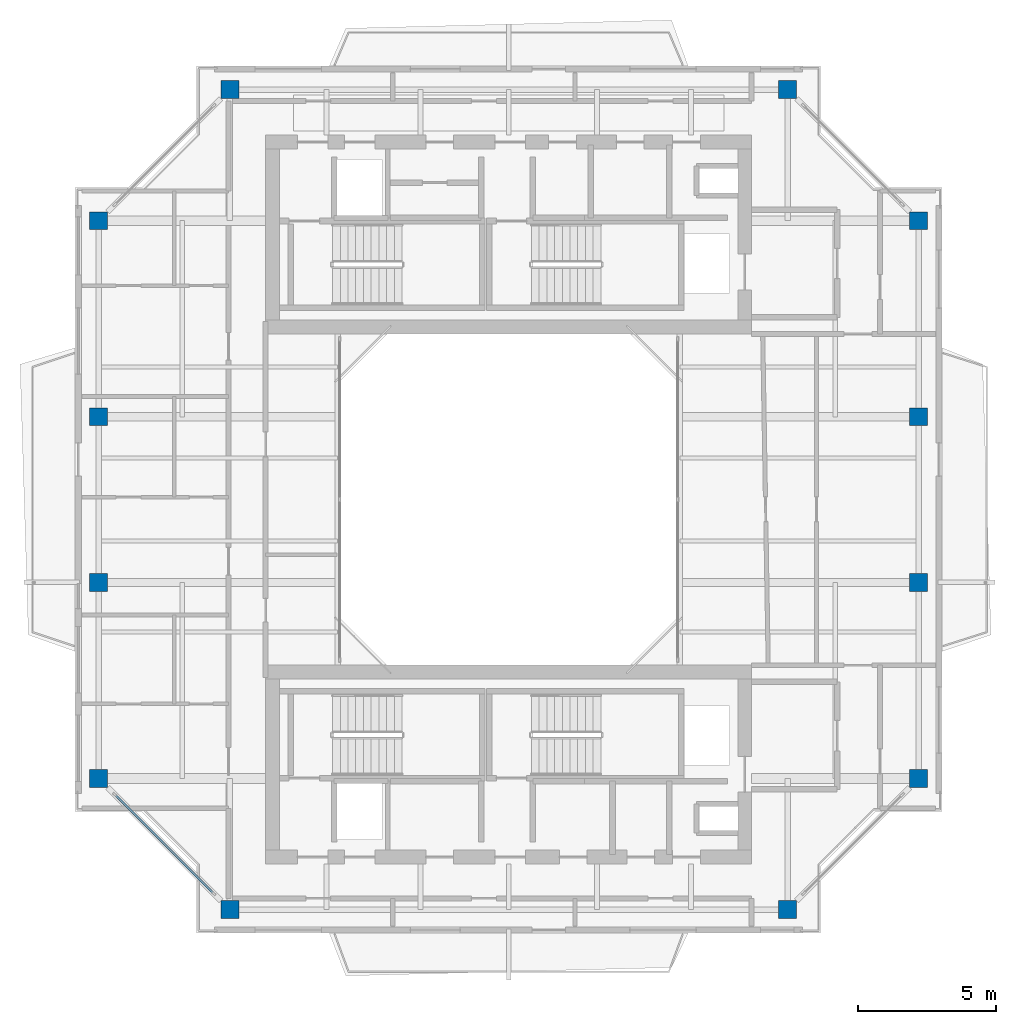
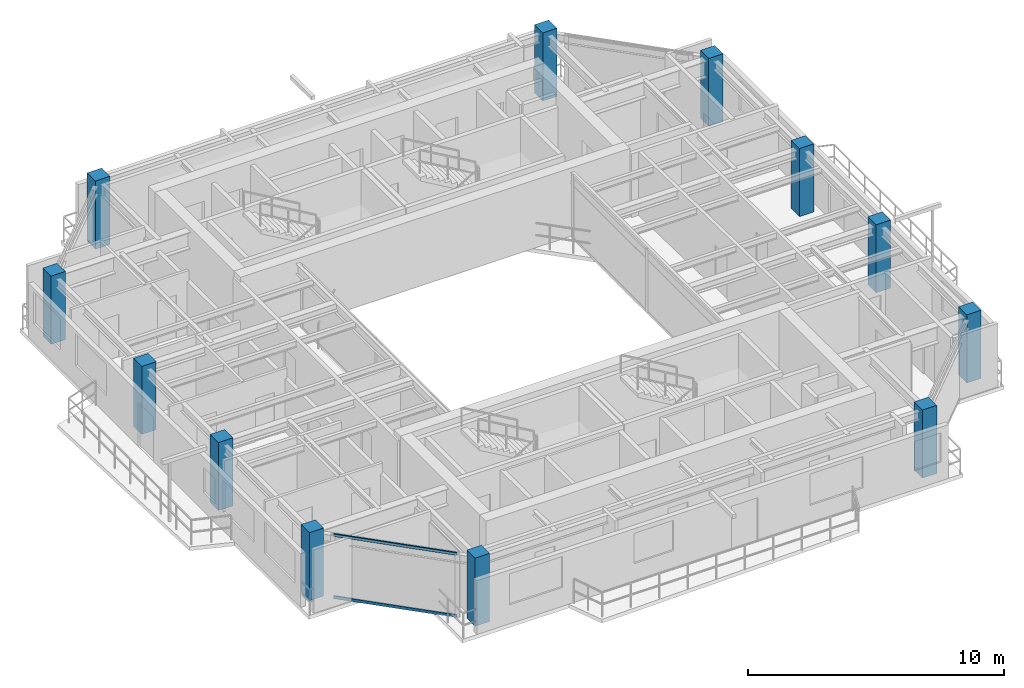
# One storey, part 1 of 14: 12 columns, 2 members, 1 element without a shape of its own.
"""IFC4 building model written with IfcOpenShell, lengths in metres."""

from ifc_helpers import new_model, si_unit, direction, frame, origin, origin_2d, place, context, subcontext, project, spatial, rectangle, extrude, source, transform, mapped, material, layer, layer_set, material_profile, profile_set, type_object, element, aggregate, save


model = new_model("IFC4")

# Units and contexts
model_context = context("Model", 3, precision=1e-05, world=origin(), true_north=direction((0.0, 1.0)))
body_context = subcontext(model_context, "Body", "Model", "MODEL_VIEW")
ifc_project = project(units=[si_unit("LENGTHUNIT", "METRE"), si_unit("AREAUNIT", "SQUARE_METRE"), si_unit("VOLUMEUNIT", "CUBIC_METRE"), si_unit("PLANEANGLEUNIT", "RADIAN"), si_unit("MASSUNIT", "GRAM", prefix="KILO"), si_unit("THERMODYNAMICTEMPERATUREUNIT", "KELVIN"), si_unit("POWERUNIT", "WATT")], contexts=[model_context])

# Site, building, storey
site_placement = place(None, origin())
site = spatial("IfcSite", under=ifc_project, at=site_placement, CompositionType="ELEMENT")
building_placement = place(site_placement, origin())
building = spatial("IfcBuilding", under=site, at=building_placement, Name="Qiaomeng Ring Towers", CompositionType="ELEMENT")
storey_placement = place(building_placement, frame((0.0, 0.0, 260.0)))
storey = spatial("IfcBuildingStorey", under=building, at=storey_placement, Name="L76", CompositionType="ELEMENT", Elevation=260.0)

# Columns
ifc_material_1 = material(Name="Concrete C40", Category="concrete")
ifc_material_profile_1 = material_profile(ifc_material_1, rectangle(XDim=0.64990234375, YDim=0.64990234375, at=origin_2d()), Name="RC COL 650x650")
ifc_profile_set_1 = profile_set([ifc_material_profile_1], Name="Concrete C40")
column_type = type_object("IfcColumnType", Name="STR-COL-650-C40", PredefinedType="COLUMN", material=ifc_profile_set_1)
shared_shape_1 = source(origin(), body_context, "Body", "SweptSolid", [
    extrude(rectangle(XDim=0.64990234375, YDim=0.64990234375, at=origin_2d()), origin(), (0.0, 0.0, 1.0), 3.25),
])
for number, where, z_axis, x_axis, name in (
    (1, (8.89990234375, 8.14990234375, 0.0), (0.0, 0.0, 1.0), (1.0, 0.0, 0.0), "L76 column STR-COL-L76-T1-S1"),
    (2, (29.10009765625, 8.14990234375, 0.0), (0.0, 0.0, 1.0), (1.0, 0.0, 0.0), "L76 column STR-COL-L76-T1-S2"),
    (3, (33.85009765625, 12.89990234375, 0.0), (0.0, 0.0, 1.0), (1.0, 0.0, 0.0), "L76 column STR-COL-L76-T1-E1"),
    (4, (33.85009765625, 20.0, 0.0), (0.0, 0.0, 1.0), (1.0, 0.0, 0.0), "L76 column STR-COL-L76-T1-E2"),
    (5, (33.85009765625, 26.0, 0.0), (0.0, 0.0, 1.0), (1.0, 0.0, 0.0), "L76 column STR-COL-L76-T1-E3"),
    (6, (33.85009765625, 33.10009765625, 0.0), (0.0, 0.0, 1.0), (1.0, 0.0, 0.0), "L76 column STR-COL-L76-T1-E4"),
    (7, (29.10009765625, 37.85009765625, 0.0), (0.0, 0.0, 1.0), (1.0, 0.0, 0.0), "L76 column STR-COL-L76-T1-N2"),
    (8, (8.89990234375, 37.85009765625, 0.0), (0.0, 0.0, 1.0), (1.0, 0.0, 0.0), "L76 column STR-COL-L76-T1-N1"),
    (9, (4.14990234375, 33.10009765625, 0.0), (0.0, 0.0, 1.0), (1.0, 0.0, 0.0), "L76 column STR-COL-L76-T1-W4"),
    (10, (4.14990234375, 26.0, 0.0), (0.0, 0.0, 1.0), (1.0, 0.0, 0.0), "L76 column STR-COL-L76-T1-W3"),
    (11, (4.14990234375, 20.0, 0.0), (0.0, 0.0, 1.0), (1.0, 0.0, 0.0), "L76 column STR-COL-L76-T1-W2"),
    (12, (4.14990234375, 12.89990234375, 0.0), (0.0, 0.0, 1.0), (1.0, 0.0, 0.0), "L76 column STR-COL-L76-T1-W1"),
):
    element("IfcColumn", number, at=place(storey_placement, frame(where, z_axis=z_axis, x_axis=x_axis)), inside=storey, type_object=column_type, Name=name, PredefinedType="COLUMN", context=body_context, shape_type="MappedRepresentation", body=[
        mapped(shared_shape_1, transform((0.0, 0.0, 0.0), x_axis=(1.0, 0.0, 0.0), y_axis=(0.0, 1.0, 0.0), z_axis=(0.0, 0.0, 1.0), scale=1.0)),
    ])

# Curtain wall, members
ifc_material_2 = material(Name="Fluorocarbon dark-grey aluminium", Category="aluminium")
ifc_layer = layer(ifc_material_2, 0.14990234375, Name="Fluorocarbon dark-grey aluminium")
ifc_layer_set = layer_set([ifc_layer], Name="Fluorocarbon dark-grey aluminium")
curtain_wall_type = type_object("IfcCurtainWallType", Name="ARC-CW-3", PredefinedType="NOTDEFINED", material=ifc_layer_set)
curtain_wall_placement = place(storey_placement, origin())
curtain_wall = element("IfcCurtainWall", 13, at=curtain_wall_placement, inside=storey, type_object=curtain_wall_type, Name="L76 Curtain Wall CW3", PredefinedType="NOTDEFINED")
ifc_material_profile_2 = material_profile(ifc_material_2, rectangle(XDim=0.06494140625, YDim=0.1298828125, at=origin_2d()), Name="ALU TRAN 65x130")
ifc_profile_set_2 = profile_set([ifc_material_profile_2], Name="Fluorocarbon dark-grey aluminium")
member_type = type_object("IfcMemberType", Name="ARC-CWT-120", PredefinedType="USERDEFINED", material=ifc_profile_set_2)
shared_shape_2 = source(origin(), body_context, "Body", "SweptSolid", [
    extrude(rectangle(XDim=0.06494140625, YDim=0.1298828125, at=origin_2d()), origin(), (0.0, 0.0, 1.0), 4.9794921875),
])
member_1_placement = place(storey_placement, frame((4.764404296875, 12.285400390625, 0.032470703125), z_axis=(0.707106781187, -0.707106781187, 0.0), x_axis=(0.707106781187, 0.707106781187, 0.0)))
member_1 = element("IfcMember", 14, at=member_1_placement, type_object=member_type, Name="CW3 transom 1.1", ObjectType="TRANSOM", PredefinedType="USERDEFINED", context=body_context, shape_type="MappedRepresentation", body=[
    mapped(shared_shape_2, transform((0.0, 0.0, 0.0), x_axis=(1.0, 0.0, 0.0), y_axis=(0.0, 1.0, 0.0), z_axis=(0.0, 0.0, 1.0), scale=1.0)),
])
member_2_placement = place(storey_placement, frame((4.764404296875, 12.285400390625, 2.99755859375), z_axis=(0.707106781187, -0.707106781187, 0.0), x_axis=(0.707106781187, 0.707106781187, 0.0)))
member_2 = element("IfcMember", 15, at=member_2_placement, type_object=member_type, Name="CW3 transom 1.2", ObjectType="TRANSOM", PredefinedType="USERDEFINED", context=body_context, shape_type="MappedRepresentation", body=[
    mapped(shared_shape_2, transform((0.0, 0.0, 0.0), x_axis=(1.0, 0.0, 0.0), y_axis=(0.0, 1.0, 0.0), z_axis=(0.0, 0.0, 1.0), scale=1.0)),
])
aggregate(curtain_wall, [member_1, member_2])

save(model, "model.ifc")
